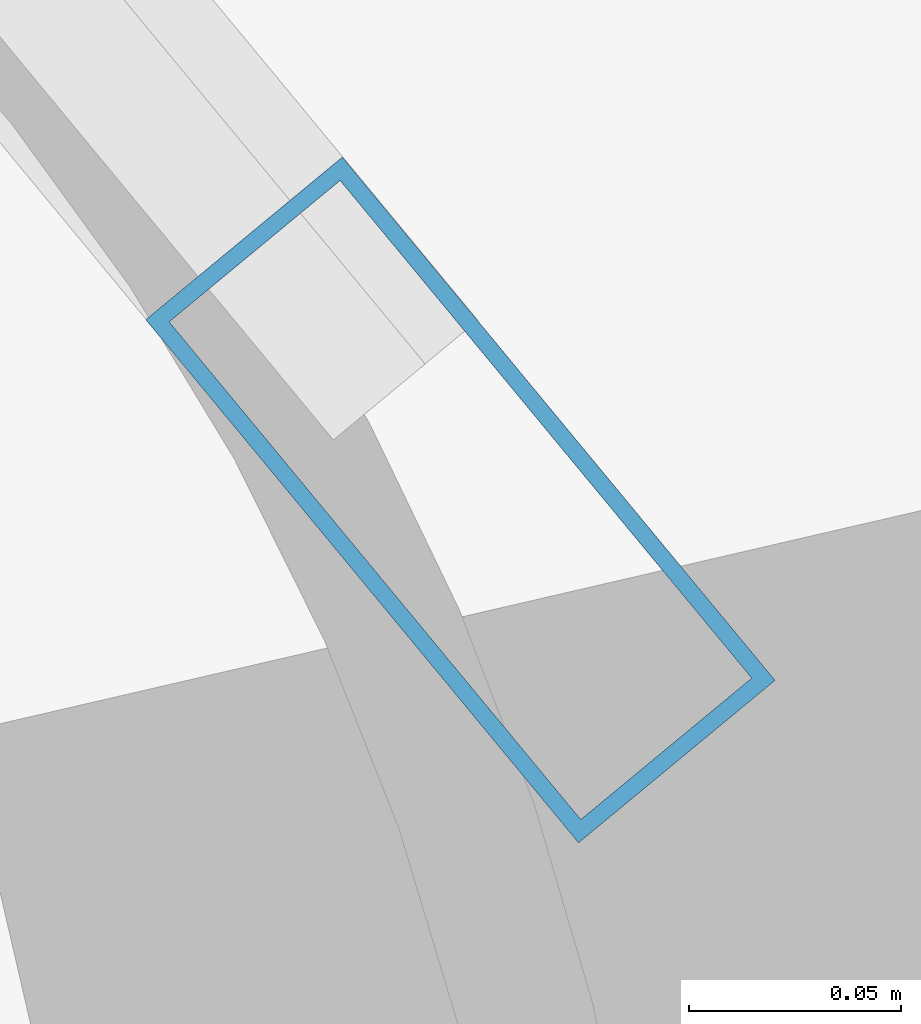
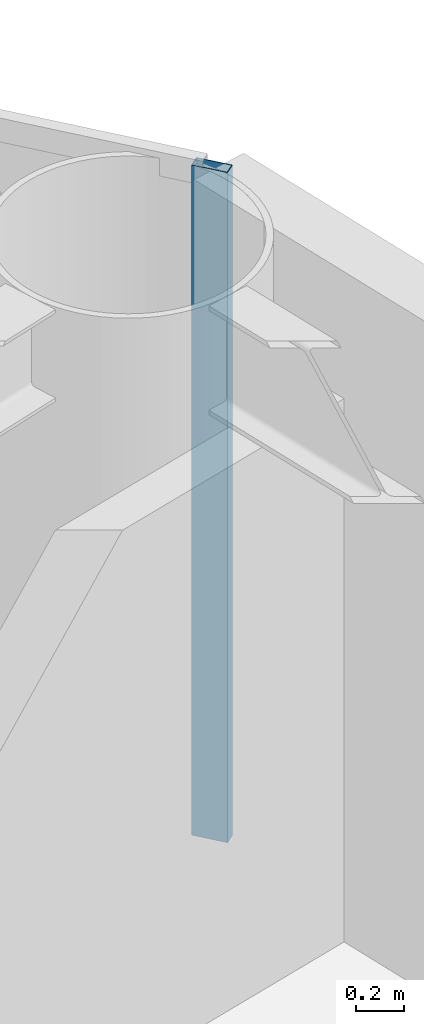
# One storey, part 9 of 28: 1 member, 1 element without a shape of its own.
"""IFC4 building model written with IfcOpenShell, lengths in metres."""

from ifc_helpers import new_model, si_unit, direction, frame, origin, origin_2d, place, context, subcontext, project, spatial, hollow_rectangle, extrude, material, layer, layer_set, material_profile, profile_set, type_object, element, aggregate, save


model = new_model("IFC4")

# Units and contexts
model_context = context("Model", 3, precision=1e-05, world=origin(), true_north=direction((0.0, 1.0)))
body_context = subcontext(model_context, "Body", "Model", "MODEL_VIEW")
ifc_project = project(units=[si_unit("LENGTHUNIT", "METRE"), si_unit("AREAUNIT", "SQUARE_METRE"), si_unit("VOLUMEUNIT", "CUBIC_METRE"), si_unit("PLANEANGLEUNIT", "RADIAN"), si_unit("MASSUNIT", "GRAM", prefix="KILO")], contexts=[model_context])

# Site, building, storey
site_placement = place(None, origin())
site = spatial("IfcSite", under=ifc_project, at=site_placement, CompositionType="ELEMENT")
building_placement = place(site_placement, origin())
building = spatial("IfcBuilding", under=site, at=building_placement, Name="Sarneth Arch Tower", CompositionType="ELEMENT")
storey_placement = place(building_placement, frame((0.0, 0.0, 183.0)))
storey = spatial("IfcBuildingStorey", under=building, at=storey_placement, Name="L46", CompositionType="ELEMENT", Elevation=183.0)

# Curtain wall, member
ifc_material_1 = material(Name="Anodised aluminium Type AA25 and solar-control low-e laminated IGU", Category="aluminium")
ifc_layer = layer(ifc_material_1, 0.169921875)
ifc_layer_set = layer_set([ifc_layer], Name="Anodised aluminium Type AA25 and solar-control low-e laminated IGU")
curtain_wall_type = type_object("IfcCurtainWallType", Name="CW-RES-MID", PredefinedType="NOTDEFINED", material=ifc_layer_set)
curtain_wall_placement = place(storey_placement, origin())
curtain_wall = element("IfcCurtainWall", 1, at=curtain_wall_placement, inside=storey, type_object=curtain_wall_type, Name="L46 Unitised curtain wall facet 02", PredefinedType="NOTDEFINED")
ifc_material_2 = material(Name="Anodised Aluminium 6063-T6", Category="aluminium")
ifc_material_profile = material_profile(ifc_material_2, hollow_rectangle(XDim=0.06005859375, YDim=0.159912109375, WallThickness=0.00390625, at=origin_2d()), Name="AL-MULL-160x60x4")
ifc_profile_set = profile_set([ifc_material_profile], Name="Anodised Aluminium 6063-T6")
member_type = type_object("IfcMemberType", Name="CW-MULLION", PredefinedType="MULLION", material=ifc_profile_set)
member_placement = place(storey_placement, frame((73.213134765625, 50.090087890625, 0.0), z_axis=(0.0, 0.0, 1.0), x_axis=(-0.770590741276, -0.637330298558, 0.0)))
member = element("IfcMember", 2, at=member_placement, type_object=member_type, Name="CW-SYS-5 mullion 1", PredefinedType="MULLION", context=body_context, shape_type="SweptSolid", body=[
    extrude(hollow_rectangle(XDim=0.06005859375, YDim=0.159912109375, WallThickness=0.00390625, at=origin_2d()), origin(), (0.0, 0.0, 1.0), 3.3798828125),
])
aggregate(curtain_wall, [member])

save(model, "model.ifc")
